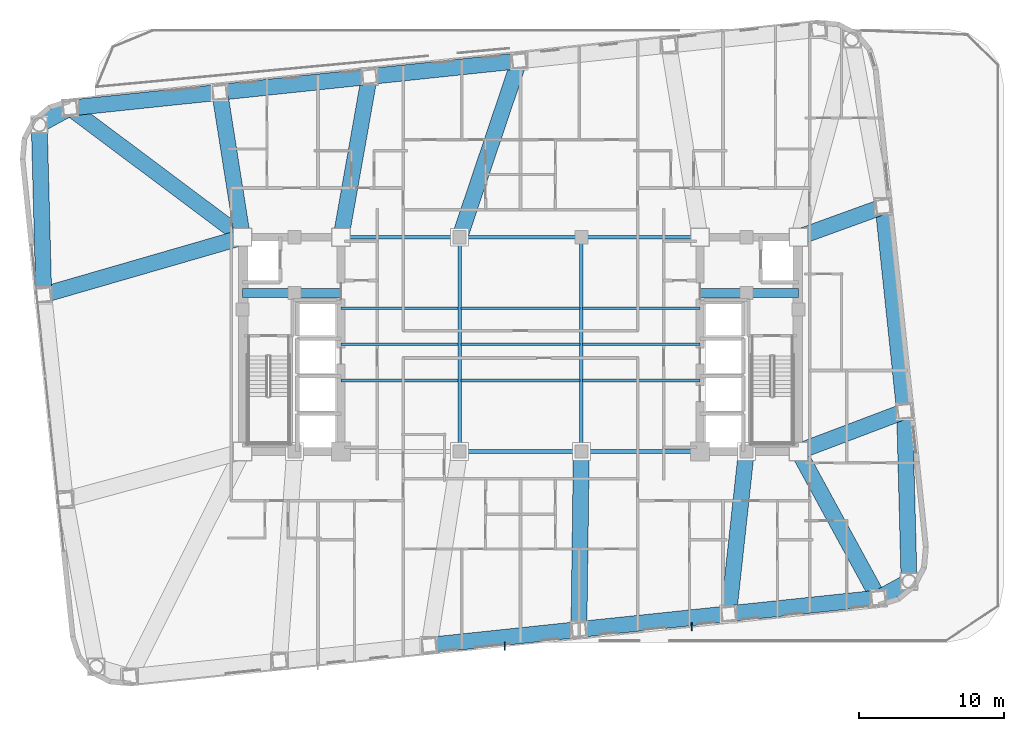
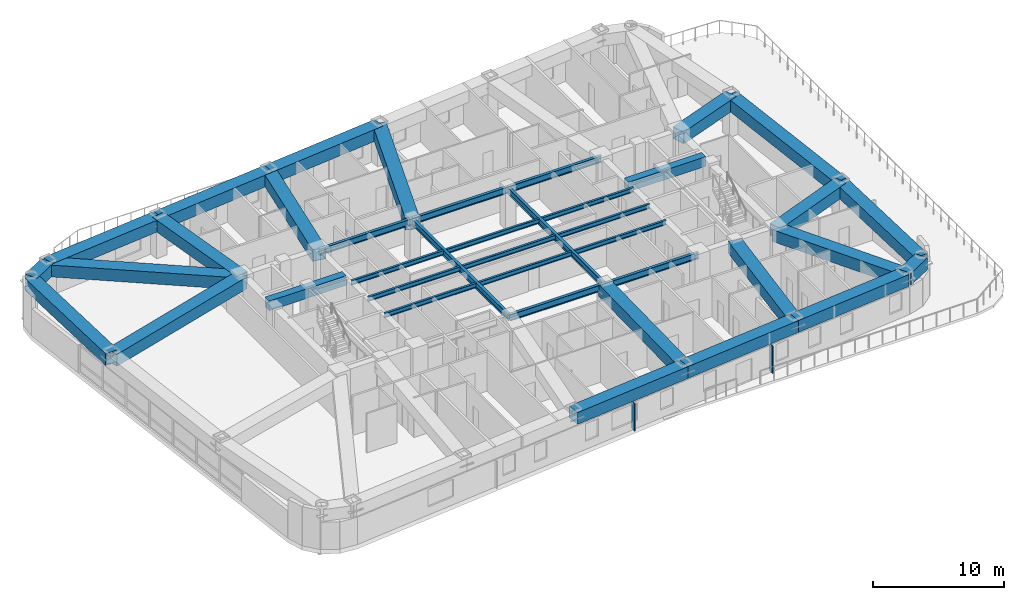
# One storey, part 5 of 15: 39 beams, 2 members, 1 element without a shape of its own.
"""IFC4 building model written with IfcOpenShell, lengths in metres."""

from ifc_helpers import new_model, si_unit, direction, frame, origin, origin_2d, place, context, subcontext, project, spatial, rectangle, hollow_rectangle, i_section, extrude, material, layer, layer_set, material_profile, profile_set, type_object, element, aggregate, save


model = new_model("IFC4")

# Units and contexts
model_context = context("Model", 3, precision=1e-05, world=origin(), true_north=direction((0.0, 1.0)))
body_context = subcontext(model_context, "Body", "Model", "MODEL_VIEW")
ifc_project = project(units=[si_unit("LENGTHUNIT", "METRE"), si_unit("AREAUNIT", "SQUARE_METRE"), si_unit("VOLUMEUNIT", "CUBIC_METRE"), si_unit("PLANEANGLEUNIT", "RADIAN"), si_unit("MASSUNIT", "GRAM", prefix="KILO")], contexts=[model_context])

# Site, building, storey
site_placement = place(None, origin())
site = spatial("IfcSite", under=ifc_project, at=site_placement, CompositionType="ELEMENT")
building_placement = place(site_placement, origin())
building = spatial("IfcBuilding", under=site, at=building_placement, Name="Voryun Gate Residences", CompositionType="ELEMENT")
storey_placement = place(building_placement, frame((0.0, 0.0, 140.39990234375)))
storey = spatial("IfcBuildingStorey", under=building, at=storey_placement, Name="L34", CompositionType="ELEMENT", Elevation=140.39990234375)

# Beams
ifc_material_1 = material(Name="Steel SM420", Category="steel")
ifc_material_profile_1 = material_profile(ifc_material_1, hollow_rectangle(XDim=1.10009765625, YDim=1.10009765625, WallThickness=0.035888671875, at=origin_2d()), Name="BOX-1100x1100x36")
ifc_profile_set_1 = profile_set([ifc_material_profile_1], Name="Steel SM420")
beam_type_1 = type_object("IfcBeamType", Name="BM_ARCH_RIB", PredefinedType="USERDEFINED", material=ifc_profile_set_1)
for number, where, z_axis, x_axis, name in (
    (1, (-6.30712890625, -20.785400390625, 3.10009765625), (0.994521263116, 0.104534478571, 0.0), (-0.104534478571, 0.994521263116, 0.0), "BM-L34-SPAND-03"),
    (2, (4.035888671875, -19.6982421875, 3.10009765625), (0.994521263116, 0.104534478571, 0.0), (-0.104534478571, 0.994521263116, 0.0), "BM-L34-SPAND-04"),
    (3, (14.37890625, -18.611083984375, 3.10009765625), (0.99452370336, 0.10451125994, 0.0), (-0.10451125994, 0.99452370336, 0.0), "BM-L34-SPAND-05"),
):
    element("IfcBeam", number, at=place(storey_placement, frame(where, z_axis=z_axis, x_axis=x_axis)), inside=storey, type_object=beam_type_1, Name=name, ObjectType="GIRDER", PredefinedType="USERDEFINED", context=body_context, shape_type="SweptSolid", body=[
        extrude(hollow_rectangle(XDim=1.10009765625, YDim=1.10009765625, WallThickness=0.035888671875, at=origin_2d()), origin(), (0.0, 0.0, 1.0), 10.39990234375),
    ])
beam_1_placement = place(storey_placement, frame((24.721923828125, -17.524169921875, 3.10009765625), z_axis=(0.878830382314, 0.477134319791, 0.0), x_axis=(-0.477134319791, 0.878830382314, 0.0)))
element("IfcBeam", 4, at=beam_1_placement, inside=storey, type_object=beam_type_1, Name="BM-L34-SPAND-06", ObjectType="GIRDER", PredefinedType="USERDEFINED", context=body_context, shape_type="SweptSolid", body=[
    extrude(hollow_rectangle(XDim=1.10009765625, YDim=1.10009765625, WallThickness=0.035888671875, at=origin_2d()), origin(), (0.0, 0.0, 1.0), 2.4111328125),
])
beam_2_placement = place(storey_placement, frame((26.8408203125, -16.373779296875, 3.10009765625), z_axis=(-0.026151005195, 0.999658003983, 0.0), x_axis=(-0.999658003983, -0.026151005195, 0.0)))
element("IfcBeam", 5, at=beam_2_placement, inside=storey, type_object=beam_type_1, Name="BM-L34-SPAND-07", ObjectType="GIRDER", PredefinedType="USERDEFINED", context=body_context, shape_type="SweptSolid", body=[
    extrude(hollow_rectangle(XDim=1.10009765625, YDim=1.10009765625, WallThickness=0.035888671875, at=origin_2d()), origin(), (0.0, 0.0, 1.0), 11.753662109375),
])
beam_3_placement = place(storey_placement, frame((26.533447265625, -4.6240234375, 3.10009765625), z_axis=(-0.104523913446, 0.994522373563, 0.0), x_axis=(-0.994522373563, -0.104523913446, 0.0)))
element("IfcBeam", 6, at=beam_3_placement, inside=storey, type_object=beam_type_1, Name="BM-L34-SPAND-08", ObjectType="GIRDER", PredefinedType="USERDEFINED", context=body_context, shape_type="SweptSolid", body=[
    extrude(hollow_rectangle(XDim=1.10009765625, YDim=1.10009765625, WallThickness=0.035888671875, at=origin_2d()), origin(), (0.0, 0.0, 1.0), 14.219970703125),
])
for number, where, z_axis, x_axis, name in (
    (7, (-0.093017578125, 19.58544921875, 3.10009765625), (-0.994521263116, -0.104534478571, 0.0), (0.104534478571, -0.994521263116, 0.0), "BM-L34-SPAND-13"),
    (8, (-10.43603515625, 18.498291015625, 3.10009765625), (-0.994521263116, -0.104534478571, 0.0), (0.104534478571, -0.994521263116, 0.0), "BM-L34-SPAND-14"),
    (9, (-20.779052734375, 17.4111328125, 3.10009765625), (-0.994521263116, -0.104534478571, 0.0), (0.104534478571, -0.994521263116, 0.0), "BM-L34-SPAND-15"),
):
    element("IfcBeam", number, at=place(storey_placement, frame(where, z_axis=z_axis, x_axis=x_axis)), inside=storey, type_object=beam_type_1, Name=name, ObjectType="GIRDER", PredefinedType="USERDEFINED", context=body_context, shape_type="SweptSolid", body=[
        extrude(hollow_rectangle(XDim=1.10009765625, YDim=1.10009765625, WallThickness=0.035888671875, at=origin_2d()), origin(), (0.0, 0.0, 1.0), 10.39990234375),
    ])
beam_4_placement = place(storey_placement, frame((-31.1220703125, 16.323974609375, 3.10009765625), z_axis=(-0.878807326808, -0.47717678312, 0.0), x_axis=(0.47717678312, -0.878807326808, 0.0)))
element("IfcBeam", 10, at=beam_4_placement, inside=storey, type_object=beam_type_1, Name="BM-L34-SPAND-16", ObjectType="GIRDER", PredefinedType="USERDEFINED", context=body_context, shape_type="SweptSolid", body=[
    extrude(hollow_rectangle(XDim=1.10009765625, YDim=1.10009765625, WallThickness=0.035888671875, at=origin_2d()), origin(), (0.0, 0.0, 1.0), 2.410888671875),
])
beam_5_placement = place(storey_placement, frame((-33.24072265625, 15.173583984375, 3.10009765625), z_axis=(0.026130790716, -0.999658532588, 0.0), x_axis=(0.999658532588, 0.026130790716, 0.0)))
element("IfcBeam", 11, at=beam_5_placement, inside=storey, type_object=beam_type_1, Name="BM-L34-SPAND-17", ObjectType="GIRDER", PredefinedType="USERDEFINED", context=body_context, shape_type="SweptSolid", body=[
    extrude(hollow_rectangle(XDim=1.10009765625, YDim=1.10009765625, WallThickness=0.035888671875, at=origin_2d()), origin(), (0.0, 0.0, 1.0), 11.75341796875),
])
beam_6_placement = place(storey_placement, frame((4.199951171875, -7.39990234375, 3.10009765625), z_axis=(-0.013339028327, -0.999911031204, 0.0), x_axis=(0.999911031204, -0.013339028327, 0.0)))
element("IfcBeam", 12, at=beam_6_placement, inside=storey, type_object=beam_type_1, Name="BM-L34-RAD-S4", ObjectType="GIRDER", PredefinedType="USERDEFINED", context=body_context, shape_type="SweptSolid", body=[
    extrude(hollow_rectangle(XDim=1.10009765625, YDim=1.10009765625, WallThickness=0.035888671875, at=origin_2d()), origin(), (0.0, 0.0, 1.0), 12.29931640625),
])
beam_7_placement = place(storey_placement, frame((15.60009765625, -7.39990234375, 3.10009765625), z_axis=(-0.108285693252, -0.994119816037, 0.0), x_axis=(0.994119816037, -0.108285693252, 0.0)))
element("IfcBeam", 13, at=beam_7_placement, inside=storey, type_object=beam_type_1, Name="BM-L34-RAD-S5", ObjectType="GIRDER", PredefinedType="USERDEFINED", context=body_context, shape_type="SweptSolid", body=[
    extrude(hollow_rectangle(XDim=1.10009765625, YDim=1.10009765625, WallThickness=0.035888671875, at=origin_2d()), origin(), (0.0, 0.0, 1.0), 11.277587890625),
])
beam_8_placement = place(storey_placement, frame((19.199951171875, -7.39990234375, 3.10009765625), z_axis=(0.478828398266, -0.877908517451, 0.0), x_axis=(0.877908517451, 0.478828398266, 0.0)))
element("IfcBeam", 14, at=beam_8_placement, inside=storey, type_object=beam_type_1, Name="BM-L34-RAD-S6", ObjectType="GIRDER", PredefinedType="USERDEFINED", context=body_context, shape_type="SweptSolid", body=[
    extrude(hollow_rectangle(XDim=1.10009765625, YDim=1.10009765625, WallThickness=0.035888671875, at=origin_2d()), origin(), (0.0, 0.0, 1.0), 11.5322265625),
])
beam_9_placement = place(storey_placement, frame((19.199951171875, -7.39990234375, 3.10009765625), z_axis=(0.93524224301, 0.354008399462, 0.0), x_axis=(-0.354008399462, 0.93524224301, 0.0)))
element("IfcBeam", 15, at=beam_9_placement, inside=storey, type_object=beam_type_1, Name="BM-L34-RAD-E1", ObjectType="GIRDER", PredefinedType="USERDEFINED", context=body_context, shape_type="SweptSolid", body=[
    extrude(hollow_rectangle(XDim=1.10009765625, YDim=1.10009765625, WallThickness=0.035888671875, at=origin_2d()), origin(), (0.0, 0.0, 1.0), 7.84130859375),
])
beam_10_placement = place(storey_placement, frame((19.199951171875, 7.39990234375, 3.10009765625), z_axis=(0.94020993833, 0.340595466595, 0.0), x_axis=(-0.340595466595, 0.94020993833, 0.0)))
element("IfcBeam", 16, at=beam_10_placement, inside=storey, type_object=beam_type_1, Name="BM-L34-RAD-E2", ObjectType="GIRDER", PredefinedType="USERDEFINED", context=body_context, shape_type="SweptSolid", body=[
    extrude(hollow_rectangle(XDim=1.10009765625, YDim=1.10009765625, WallThickness=0.035888671875, at=origin_2d()), origin(), (0.0, 0.0, 1.0), 6.218994140625),
])
beam_11_placement = place(storey_placement, frame((-4.199951171875, 7.39990234375, 3.10009765625), z_axis=(0.319381479956, 0.947626229197, 0.0), x_axis=(-0.947626229197, 0.319381479956, 0.0)))
element("IfcBeam", 17, at=beam_11_placement, inside=storey, type_object=beam_type_1, Name="BM-L34-RAD-N3", ObjectType="GIRDER", PredefinedType="USERDEFINED", context=body_context, shape_type="SweptSolid", body=[
    extrude(hollow_rectangle(XDim=1.10009765625, YDim=1.10009765625, WallThickness=0.035888671875, at=origin_2d()), origin(), (0.0, 0.0, 1.0), 12.859130859375),
])
beam_12_placement = place(storey_placement, frame((-12.39990234375, 7.39990234375, 3.10009765625), z_axis=(0.174243764839, 0.984702549207, 0.0), x_axis=(-0.984702549207, 0.174243764839, 0.0)))
element("IfcBeam", 18, at=beam_12_placement, inside=storey, type_object=beam_type_1, Name="BM-L34-RAD-N4", ObjectType="GIRDER", PredefinedType="USERDEFINED", context=body_context, shape_type="SweptSolid", body=[
    extrude(hollow_rectangle(XDim=1.10009765625, YDim=1.10009765625, WallThickness=0.035888671875, at=origin_2d()), origin(), (0.0, 0.0, 1.0), 11.270751953125),
])
beam_13_placement = place(storey_placement, frame((-19.199951171875, 7.39990234375, 3.10009765625), z_axis=(-0.155806710133, 0.987787562727, 0.0), x_axis=(-0.987787562727, -0.155806710133, 0.0)))
element("IfcBeam", 19, at=beam_13_placement, inside=storey, type_object=beam_type_1, Name="BM-L34-RAD-N5", ObjectType="GIRDER", PredefinedType="USERDEFINED", context=body_context, shape_type="SweptSolid", body=[
    extrude(hollow_rectangle(XDim=1.10009765625, YDim=1.10009765625, WallThickness=0.035888671875, at=origin_2d()), origin(), (0.0, 0.0, 1.0), 10.135009765625),
])
beam_14_placement = place(storey_placement, frame((-19.199951171875, 7.39990234375, 3.10009765625), z_axis=(-0.800564252374, 0.599246925583, 0.0), x_axis=(-0.599246925583, -0.800564252374, 0.0)))
element("IfcBeam", 20, at=beam_14_placement, inside=storey, type_object=beam_type_1, Name="BM-L34-RAD-N6", ObjectType="GIRDER", PredefinedType="USERDEFINED", context=body_context, shape_type="SweptSolid", body=[
    extrude(hollow_rectangle(XDim=1.10009765625, YDim=1.10009765625, WallThickness=0.035888671875, at=origin_2d()), origin(), (0.0, 0.0, 1.0), 14.89208984375),
])
beam_15_placement = place(storey_placement, frame((-19.199951171875, 7.39990234375, 3.10009765625), z_axis=(-0.960558623239, -0.278077563498, 0.0), x_axis=(0.278077563498, -0.960558623239, 0.0)))
element("IfcBeam", 21, at=beam_15_placement, inside=storey, type_object=beam_type_1, Name="BM-L34-RAD-W1", ObjectType="GIRDER", PredefinedType="USERDEFINED", context=body_context, shape_type="SweptSolid", body=[
    extrude(hollow_rectangle(XDim=1.10009765625, YDim=1.10009765625, WallThickness=0.035888671875, at=origin_2d()), origin(), (0.0, 0.0, 1.0), 14.297607421875),
])
ifc_material_2 = material(Name="Concrete C60/75", Category="concrete")
ifc_material_profile_2 = material_profile(ifc_material_2, rectangle(XDim=0.64990234375, YDim=0.89990234375, at=origin_2d()), Name="RC-650x900")
ifc_profile_set_2 = profile_set([ifc_material_profile_2], Name="Concrete C60/75")
beam_type_2 = type_object("IfcBeamType", Name="BM_COUP_RC900", PredefinedType="LINTEL", material=ifc_profile_set_2)
for number, where, z_axis, x_axis, name in (
    (22, (-19.199951171875, 3.550048828125, 3.2001953125), (1.0, 0.0, 0.0), (0.0, 1.0, 0.0), "BM-L34-WC1"),
    (23, (12.39990234375, 3.550048828125, 3.2001953125), (1.0, 0.0, 0.0), (0.0, 1.0, 0.0), "BM-L34-EC1"),
):
    element("IfcBeam", number, at=place(storey_placement, frame(where, z_axis=z_axis, x_axis=x_axis)), inside=storey, type_object=beam_type_2, Name=name, PredefinedType="LINTEL", context=body_context, shape_type="SweptSolid", body=[
        extrude(rectangle(XDim=0.64990234375, YDim=0.89990234375, at=origin_2d()), origin(), (0.0, 0.0, 1.0), 6.800048828125),
    ])
ifc_material_3 = material(Name="Steel SM355", Category="steel")
ifc_material_profile_3 = material_profile(ifc_material_3, i_section(OverallWidth=0.25, OverallDepth=0.60009765625, WebThickness=0.011962890625, FlangeThickness=0.02197265625, FilletRadius=0.01806640625, at=origin_2d()), Name="H-600x250x12x22")
ifc_profile_set_3 = profile_set([ifc_material_profile_3], Name="Steel SM355")
beam_type_3 = type_object("IfcBeamType", Name="BM_GIRD_600", PredefinedType="USERDEFINED", material=ifc_profile_set_3)
beam_16_placement = place(storey_placement, frame((-4.199951171875, -7.39990234375, 3.35009765625), z_axis=(1.0, 0.0, 0.0), x_axis=(0.0, 1.0, 0.0)))
element("IfcBeam", 24, at=beam_16_placement, inside=storey, type_object=beam_type_3, Name="BM-L34-SPG2-S", ObjectType="GIRDER", PredefinedType="USERDEFINED", context=body_context, shape_type="SweptSolid", body=[
    extrude(i_section(OverallWidth=0.25, OverallDepth=0.60009765625, WebThickness=0.011962890625, FlangeThickness=0.02197265625, FilletRadius=0.01806640625, at=origin_2d()), origin(), (0.0, 0.0, 1.0), 8.39990234375),
])
for number, where, z_axis, x_axis, name in (
    (25, (4.199951171875, -7.39990234375, 3.35009765625), (1.0, 0.0, 0.0), (0.0, 1.0, 0.0), "BM-L34-SPG3-S"),
    (26, (-12.39990234375, 7.39990234375, 3.35009765625), (1.0, 0.0, 0.0), (0.0, 1.0, 0.0), "BM-L34-SPG1-N"),
):
    element("IfcBeam", number, at=place(storey_placement, frame(where, z_axis=z_axis, x_axis=x_axis)), inside=storey, type_object=beam_type_3, Name=name, ObjectType="GIRDER", PredefinedType="USERDEFINED", context=body_context, shape_type="SweptSolid", body=[
        extrude(i_section(OverallWidth=0.25, OverallDepth=0.60009765625, WebThickness=0.011962890625, FlangeThickness=0.02197265625, FilletRadius=0.01806640625, at=origin_2d()), origin(), (0.0, 0.0, 1.0), 8.199951171875),
    ])
beam_17_placement = place(storey_placement, frame((-4.199951171875, 7.39990234375, 3.35009765625), z_axis=(1.0, 0.0, 0.0), x_axis=(0.0, 1.0, 0.0)))
element("IfcBeam", 27, at=beam_17_placement, inside=storey, type_object=beam_type_3, Name="BM-L34-SPG2-N", ObjectType="GIRDER", PredefinedType="USERDEFINED", context=body_context, shape_type="SweptSolid", body=[
    extrude(i_section(OverallWidth=0.25, OverallDepth=0.60009765625, WebThickness=0.011962890625, FlangeThickness=0.02197265625, FilletRadius=0.01806640625, at=origin_2d()), origin(), (0.0, 0.0, 1.0), 8.39990234375),
])
beam_18_placement = place(storey_placement, frame((4.199951171875, 7.39990234375, 3.35009765625), z_axis=(1.0, 0.0, 0.0), x_axis=(0.0, 1.0, 0.0)))
element("IfcBeam", 28, at=beam_18_placement, inside=storey, type_object=beam_type_3, Name="BM-L34-SPG3-N", ObjectType="GIRDER", PredefinedType="USERDEFINED", context=body_context, shape_type="SweptSolid", body=[
    extrude(i_section(OverallWidth=0.25, OverallDepth=0.60009765625, WebThickness=0.011962890625, FlangeThickness=0.02197265625, FilletRadius=0.01806640625, at=origin_2d()), origin(), (0.0, 0.0, 1.0), 8.199951171875),
])
for number, where, z_axis, x_axis, name in (
    (29, (-4.199951171875, -7.39990234375, 3.35009765625), (0.0, 1.0, 0.0), (-1.0, 0.0, 0.0), "BM-L34-SPX-W"),
    (30, (4.199951171875, -7.39990234375, 3.35009765625), (0.0, 1.0, 0.0), (-1.0, 0.0, 0.0), "BM-L34-SPX-E"),
):
    element("IfcBeam", number, at=place(storey_placement, frame(where, z_axis=z_axis, x_axis=x_axis)), inside=storey, type_object=beam_type_3, Name=name, ObjectType="GIRDER", PredefinedType="USERDEFINED", context=body_context, shape_type="SweptSolid", body=[
        extrude(i_section(OverallWidth=0.25, OverallDepth=0.60009765625, WebThickness=0.011962890625, FlangeThickness=0.02197265625, FilletRadius=0.01806640625, at=origin_2d()), origin(), (0.0, 0.0, 1.0), 14.7998046875),
    ])
ifc_material_4 = material(Name="Steel SM355", Category="steel")
ifc_material_profile_4 = material_profile(ifc_material_4, i_section(OverallWidth=0.18994140625, OverallDepth=0.419921875, WebThickness=0.009033203125, FlangeThickness=0.01611328125, FilletRadius=0.01806640625, at=origin_2d()), Name="H-420x190x9x16")
ifc_profile_set_4 = profile_set([ifc_material_profile_4], Name="Steel SM355")
beam_type_4 = type_object("IfcBeamType", Name="BM_SEC_420", PredefinedType="BEAM", material=ifc_profile_set_4)
beam_19_placement = place(storey_placement, frame((-12.39990234375, -2.5, 3.440185546875), z_axis=(1.0, 0.0, 0.0), x_axis=(0.0, 1.0, 0.0)))
element("IfcBeam", 31, at=beam_19_placement, inside=storey, type_object=beam_type_4, Name="BM-L34-SEC-CS1", PredefinedType="BEAM", context=body_context, shape_type="SweptSolid", body=[
    extrude(i_section(OverallWidth=0.18994140625, OverallDepth=0.419921875, WebThickness=0.009033203125, FlangeThickness=0.01611328125, FilletRadius=0.01806640625, at=origin_2d()), origin(), (0.0, 0.0, 1.0), 8.099853515625),
])
beam_20_placement = place(storey_placement, frame((-4.10009765625, -2.5, 3.440185546875), z_axis=(1.0, 0.0, 0.0), x_axis=(0.0, 1.0, 0.0)))
element("IfcBeam", 32, at=beam_20_placement, inside=storey, type_object=beam_type_4, Name="BM-L34-SEC-CS2", PredefinedType="BEAM", context=body_context, shape_type="SweptSolid", body=[
    extrude(i_section(OverallWidth=0.18994140625, OverallDepth=0.419921875, WebThickness=0.009033203125, FlangeThickness=0.01611328125, FilletRadius=0.01806640625, at=origin_2d()), origin(), (0.0, 0.0, 1.0), 8.2001953125),
])
for number, where, z_axis, x_axis, name in (
    (33, (4.300048828125, -2.5, 3.440185546875), (1.0, 0.0, 0.0), (0.0, 1.0, 0.0), "BM-L34-SEC-CS3"),
    (34, (-12.39990234375, 0.0, 3.440185546875), (1.0, 0.0, 0.0), (0.0, 1.0, 0.0), "BM-L34-SEC-CM1"),
):
    element("IfcBeam", number, at=place(storey_placement, frame(where, z_axis=z_axis, x_axis=x_axis)), inside=storey, type_object=beam_type_4, Name=name, PredefinedType="BEAM", context=body_context, shape_type="SweptSolid", body=[
        extrude(i_section(OverallWidth=0.18994140625, OverallDepth=0.419921875, WebThickness=0.009033203125, FlangeThickness=0.01611328125, FilletRadius=0.01806640625, at=origin_2d()), origin(), (0.0, 0.0, 1.0), 8.099853515625),
    ])
beam_21_placement = place(storey_placement, frame((-4.10009765625, 0.0, 3.440185546875), z_axis=(1.0, 0.0, 0.0), x_axis=(0.0, 1.0, 0.0)))
element("IfcBeam", 35, at=beam_21_placement, inside=storey, type_object=beam_type_4, Name="BM-L34-SEC-CM2", PredefinedType="BEAM", context=body_context, shape_type="SweptSolid", body=[
    extrude(i_section(OverallWidth=0.18994140625, OverallDepth=0.419921875, WebThickness=0.009033203125, FlangeThickness=0.01611328125, FilletRadius=0.01806640625, at=origin_2d()), origin(), (0.0, 0.0, 1.0), 8.2001953125),
])
for number, where, z_axis, x_axis, name in (
    (36, (4.300048828125, 0.0, 3.440185546875), (1.0, 0.0, 0.0), (0.0, 1.0, 0.0), "BM-L34-SEC-CM3"),
    (37, (-12.39990234375, 2.5, 3.440185546875), (1.0, 0.0, 0.0), (0.0, 1.0, 0.0), "BM-L34-SEC-CN1"),
):
    element("IfcBeam", number, at=place(storey_placement, frame(where, z_axis=z_axis, x_axis=x_axis)), inside=storey, type_object=beam_type_4, Name=name, PredefinedType="BEAM", context=body_context, shape_type="SweptSolid", body=[
        extrude(i_section(OverallWidth=0.18994140625, OverallDepth=0.419921875, WebThickness=0.009033203125, FlangeThickness=0.01611328125, FilletRadius=0.01806640625, at=origin_2d()), origin(), (0.0, 0.0, 1.0), 8.099853515625),
    ])
beam_22_placement = place(storey_placement, frame((-4.10009765625, 2.5, 3.440185546875), z_axis=(1.0, 0.0, 0.0), x_axis=(0.0, 1.0, 0.0)))
element("IfcBeam", 38, at=beam_22_placement, inside=storey, type_object=beam_type_4, Name="BM-L34-SEC-CN2", PredefinedType="BEAM", context=body_context, shape_type="SweptSolid", body=[
    extrude(i_section(OverallWidth=0.18994140625, OverallDepth=0.419921875, WebThickness=0.009033203125, FlangeThickness=0.01611328125, FilletRadius=0.01806640625, at=origin_2d()), origin(), (0.0, 0.0, 1.0), 8.2001953125),
])
beam_23_placement = place(storey_placement, frame((4.300048828125, 2.5, 3.440185546875), z_axis=(1.0, 0.0, 0.0), x_axis=(0.0, 1.0, 0.0)))
element("IfcBeam", 39, at=beam_23_placement, inside=storey, type_object=beam_type_4, Name="BM-L34-SEC-CN3", PredefinedType="BEAM", context=body_context, shape_type="SweptSolid", body=[
    extrude(i_section(OverallWidth=0.18994140625, OverallDepth=0.419921875, WebThickness=0.009033203125, FlangeThickness=0.01611328125, FilletRadius=0.01806640625, at=origin_2d()), origin(), (0.0, 0.0, 1.0), 8.099853515625),
])

# Curtain wall, members
ifc_material_5 = material(Name="Anodised aluminium", Category="aluminium")
ifc_layer = layer(ifc_material_5, 0.2099609375, Name="CW_SYS_SKYGARDEN_DARK_GLASS")
ifc_layer_set = layer_set([ifc_layer], Name="Anodised aluminium")
curtain_wall_type = type_object("IfcCurtainWallType", Name="CW_SYS_SKYGARDEN_DARK_GLASS", PredefinedType="NOTDEFINED", material=ifc_layer_set)
curtain_wall_placement = place(storey_placement, origin())
curtain_wall = element("IfcCurtainWall", 40, at=curtain_wall_placement, inside=storey, type_object=curtain_wall_type, Name="Curtain wall CW5-L34-SG-06", PredefinedType="NOTDEFINED")
ifc_material_6 = material(Name="Anodised aluminium", Category="aluminium")
ifc_material_profile_5 = material_profile(ifc_material_6, rectangle(XDim=0.080078125, YDim=0.550048828125, at=origin_2d()), Name="ALU-EAVE-80x550")
ifc_profile_set_5 = profile_set([ifc_material_profile_5], Name="Anodised aluminium")
member_type = type_object("IfcMemberType", Name="MBR_PAGODA_EAVE_FIN", PredefinedType="USERDEFINED", material=ifc_profile_set_5)
member_1_placement = place(storey_placement, frame((11.835205078125, -19.501220703125, 0.0), z_axis=(0.0, 0.0, 1.0), x_axis=(1.0, 0.0, 0.0)))
member_1 = element("IfcMember", 41, at=member_1_placement, type_object=member_type, Name="Pagoda sunshade fin FIN-L34-01", ObjectType="SUNSHADE", PredefinedType="USERDEFINED", context=body_context, shape_type="SweptSolid", body=[
    extrude(rectangle(XDim=0.080078125, YDim=0.550048828125, at=origin_2d()), origin(), (0.0, 0.0, 1.0), 2.5400390625),
])
member_2_placement = place(storey_placement, frame((-1.08544921875, -20.859130859375, 0.0), z_axis=(0.0, 0.0, 1.0), x_axis=(1.0, 0.0, 0.0)))
member_2 = element("IfcMember", 42, at=member_2_placement, type_object=member_type, Name="Pagoda sunshade fin FIN-L34-02", ObjectType="SUNSHADE", PredefinedType="USERDEFINED", context=body_context, shape_type="SweptSolid", body=[
    extrude(rectangle(XDim=0.080078125, YDim=0.550048828125, at=origin_2d()), origin(), (0.0, 0.0, 1.0), 2.5400390625),
])
aggregate(curtain_wall, [member_1, member_2])

save(model, "model.ifc")
